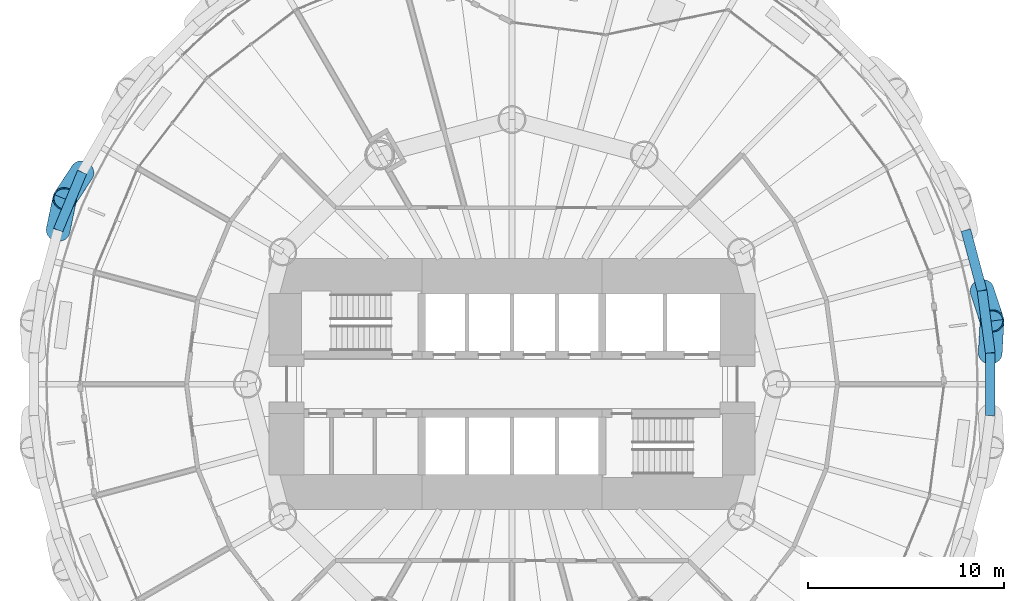
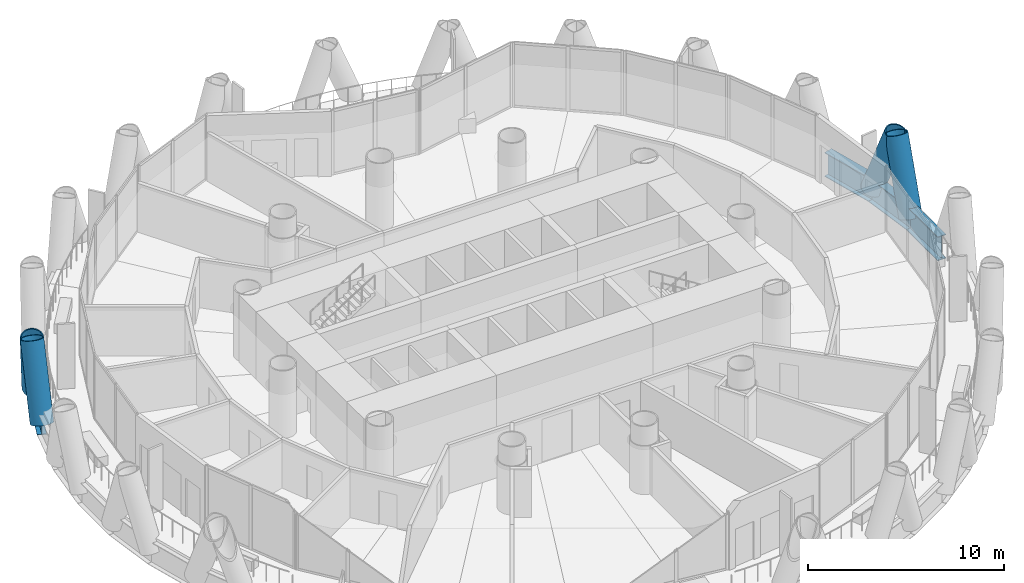
# One storey, part 5 of 16: 4 beams, 4 members.
"""IFC4 building model written with IfcOpenShell, lengths in metres."""

from ifc_helpers import new_model, si_unit, direction, frame, origin, origin_2d, place, context, subcontext, project, spatial, hollow_circle, i_section, extrude, material, material_profile, profile_set, type_object, element, save


model = new_model("IFC4")

# Units and contexts
model_context = context("Model", 3, precision=1e-05, world=origin(), true_north=direction((0.0, 1.0)))
body_context = subcontext(model_context, "Body", "Model", "MODEL_VIEW")
ifc_project = project(units=[si_unit("LENGTHUNIT", "METRE"), si_unit("AREAUNIT", "SQUARE_METRE"), si_unit("VOLUMEUNIT", "CUBIC_METRE"), si_unit("PLANEANGLEUNIT", "RADIAN"), si_unit("MASSUNIT", "GRAM", prefix="KILO")], contexts=[model_context])

# Site, building, storey
site_placement = place(None, origin())
site = spatial("IfcSite", under=ifc_project, at=site_placement, CompositionType="ELEMENT")
building_placement = place(site_placement, origin())
building = spatial("IfcBuilding", under=site, at=building_placement, Name="Qaws Media Tower", CompositionType="ELEMENT")
storey_placement = place(building_placement, frame((0.0, 0.0, 47.0)))
storey = spatial("IfcBuildingStorey", under=building, at=storey_placement, Name="L09", CompositionType="ELEMENT", Elevation=47.0)

# Members
ifc_material_1 = material(Name="Steel S460", Category="steel")
ifc_material_profile_1 = material_profile(ifc_material_1, hollow_circle(Radius=0.609619140625, WallThickness=0.06005859375, at=origin_2d()), Name="CHS 1219x60")
ifc_profile_set_1 = profile_set([ifc_material_profile_1], Name="Steel S460")
member_type = type_object("IfcMemberType", Name="Diagrid member CHS 1219x60", PredefinedType="USERDEFINED", material=ifc_profile_set_1)
member_1_placement = place(storey_placement, frame((84.397705078125, 51.59912109375, -0.909912109375), z_axis=(0.020217726858, 0.360721105206, 0.932454571429), x_axis=(-0.99843299709, 0.055960256636, 0.0)))
element("IfcMember", 1, at=member_1_placement, inside=storey, type_object=member_type, Name="DG1 diagrid L09 A01", ObjectType="DIAGRID", PredefinedType="USERDEFINED", context=body_context, shape_type="SweptSolid", body=[
    extrude(hollow_circle(Radius=0.609619140625, WallThickness=0.06005859375, at=origin_2d()), origin(), (0.0, 0.0, 1.0), 4.504150390625),
])
member_2_placement = place(storey_placement, frame((83.980224609375, 54.77001953125, -0.909912109375), z_axis=(0.112901969961, -0.343258845782, 0.932430431706), x_axis=(0.949935748696, 0.312445312574, 0.0)))
element("IfcMember", 2, at=member_2_placement, inside=storey, type_object=member_type, Name="DG1 diagrid L09 B02", ObjectType="DIAGRID", PredefinedType="USERDEFINED", context=body_context, shape_type="SweptSolid", body=[
    extrude(hollow_circle(Radius=0.609619140625, WallThickness=0.06005859375, at=origin_2d()), origin(), (0.0, 0.0, 1.0), 4.50439453125),
])
member_3_placement = place(storey_placement, frame((38.071533203125, 60.81396484375, -0.909912109375), z_axis=(-0.197893899666, -0.3022882165, 0.932448303468), x_axis=(0.836660268632, -0.547722187695, 0.0)))
element("IfcMember", 3, at=member_3_placement, inside=storey, type_object=member_type, Name="DG1 diagrid L09 A11", ObjectType="DIAGRID", PredefinedType="USERDEFINED", context=body_context, shape_type="SweptSolid", body=[
    extrude(hollow_circle(Radius=0.609619140625, WallThickness=0.06005859375, at=origin_2d()), origin(), (0.0, 0.0, 1.0), 4.504150390625),
])
member_4_placement = place(storey_placement, frame((36.84765625, 57.859130859375, -0.909912109375), z_axis=(0.073822826666, 0.353720827329, 0.932433250467), x_axis=(-0.978907978133, 0.204301665065, 0.0)))
element("IfcMember", 4, at=member_4_placement, inside=storey, type_object=member_type, Name="DG1 diagrid L09 B12", ObjectType="DIAGRID", PredefinedType="USERDEFINED", context=body_context, shape_type="SweptSolid", body=[
    extrude(hollow_circle(Radius=0.609619140625, WallThickness=0.06005859375, at=origin_2d()), origin(), (0.0, 0.0, 1.0), 4.50439453125),
])

# Beams
ifc_material_2 = material(Name="Steel S460", Category="steel")
ifc_material_profile_2 = material_profile(ifc_material_2, i_section(OverallWidth=0.5, OverallDepth=1.5, WebThickness=0.02001953125, FlangeThickness=0.0400390625, at=origin_2d()), Name="PG 1500x500")
ifc_profile_set_2 = profile_set([ifc_material_profile_2], Name="Steel S460")
beam_type = type_object("IfcBeamType", Name="Edge ring beam PG 1500x500", PredefinedType="BEAM", material=ifc_profile_set_2)
for number, where, z_axis, x_axis, name in (
    (5, (84.397705078125, 51.59912109375, -0.909912109375), (-0.130533497709, 0.991443899561, 0.0), (-0.991443899561, -0.130533497709, 0.0), "RB4 edge ring beam L09-01"),
    (6, (83.980224609375, 54.77001953125, -0.909912109375), (-0.258864548189, 0.965913632625, 0.0), (-0.965913632625, -0.258864548189, 0.0), "RB4 edge ring beam L09-02"),
    (7, (38.071533203125, 60.81396484375, -0.909912109375), (-0.382668658443, -0.923885651932, 0.0), (0.923885651932, -0.382668658443, 0.0), "RB4 edge ring beam L09-21"),
    (8, (84.397705078125, 48.40087890625, -0.909912109375), (0.0, 1.0, 0.0), (-1.0, 0.0, 0.0), "RB4 edge ring beam L09-48"),
):
    element("IfcBeam", number, at=place(storey_placement, frame(where, z_axis=z_axis, x_axis=x_axis)), inside=storey, type_object=beam_type, Name=name, PredefinedType="BEAM", context=body_context, shape_type="SweptSolid", body=[
        extrude(i_section(OverallWidth=0.5, OverallDepth=1.5, WebThickness=0.02001953125, FlangeThickness=0.0400390625, at=origin_2d()), origin(), (0.0, 0.0, 1.0), 3.1982421875),
    ])

save(model, "model.ifc")
